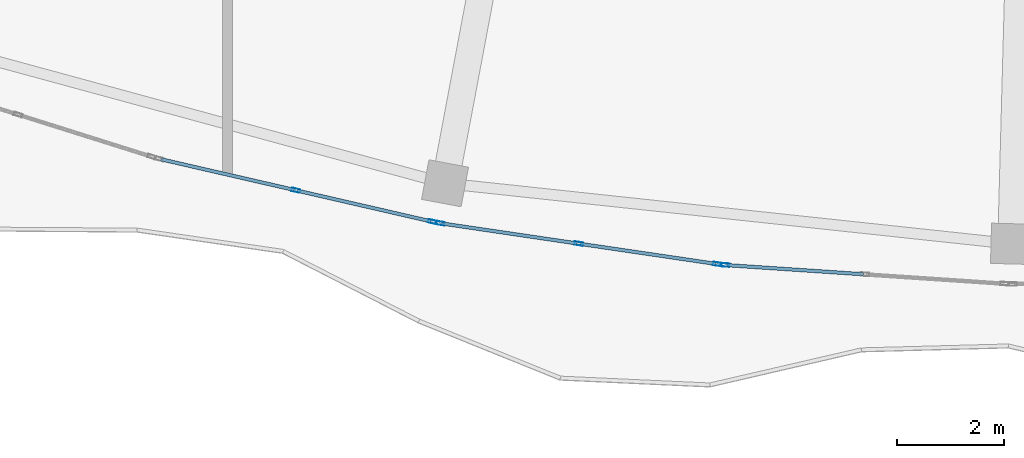
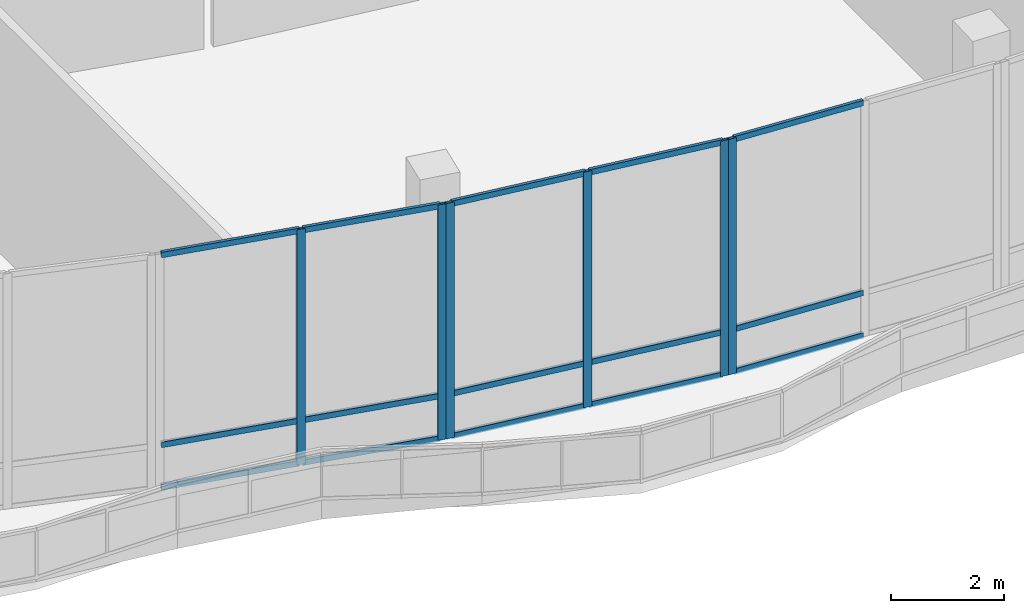
# One storey, part 24 of 158: 21 members, 3 elements without a shape of their own.
"""IFC4 building model written with IfcOpenShell, lengths in metres."""

import ifcopenshell
import ifcopenshell.guid

model = None  # the IFC model being written
_history = None  # IfcOwnerHistory: only IFC2X3 demands one
_inside = {}  # id of a spatial element -> (the spatial element, [elements in it])
_under = {}  # id of a project, library or spatial element -> (it, [spatial elements below it])
_declared = {}  # id of a project -> (the project, [libraries it declares])
_typed = {}  # id of a type object -> (the type object, [elements of that type])
_made_of = {}  # id of a material, layer set ... -> (it, [elements and type objects made of it])


def new_model(schema):
    """Start an empty IFC model of exactly this schema.

    Asked for "IFC4X3", IfcOpenShell would pick the latest addendum, in which some entities
    have other attributes; the version numbers below select the first issue.
    IFC2X3 requires an IfcOwnerHistory on every rooted entity: one is made here for all.
    """
    global model, _history
    if schema == "IFC4X3":
        model = ifcopenshell.file(schema_version=(4, 3, 0, 0))
    else:
        model = ifcopenshell.file(schema=schema)
    _inside.clear()
    _under.clear()
    _declared.clear()
    _typed.clear()
    _made_of.clear()
    _history = None
    if model.schema == "IFC2X3":
        org = make("IfcOrganization", Name="unknown")
        user = make(
            "IfcPersonAndOrganization",
            ThePerson=make("IfcPerson", FamilyName="unknown"),
            TheOrganization=org,
        )
        app = make(
            "IfcApplication",
            ApplicationDeveloper=org,
            Version="unknown",
            ApplicationFullName="unknown",
            ApplicationIdentifier="unknown",
        )
        _history = make(
            "IfcOwnerHistory",
            OwningUser=user,
            OwningApplication=app,
            ChangeAction="ADDED",
            CreationDate=0,
        )
    return model


def make(cls, **values):
    """One entity of the class cls with the attributes given. An attribute that is None is left unset."""
    return model.create_entity(
        cls, **{name: value for name, value in values.items() if value is not None}
    )


def rooted(cls, **values):
    """An entity with a GlobalId (a new one), such as an element, a storey or a relation."""
    return make(cls, GlobalId=ifcopenshell.guid.new(), OwnerHistory=_history, **values)


def si_unit(unit_type, name, prefix=None):
    """IfcSIUnit, for example si_unit("LENGTHUNIT", "METRE", prefix="MILLI")."""
    return make("IfcSIUnit", UnitType=unit_type, Prefix=prefix, Name=name)


def assignment(units):
    """IfcUnitAssignment: the units of a project."""
    return None if units is None else make("IfcUnitAssignment", Units=units)


def point(xyz):
    """IfcCartesianPoint."""
    return None if xyz is None else make("IfcCartesianPoint", Coordinates=xyz)


def direction(xyz):
    """IfcDirection."""
    return None if xyz is None else make("IfcDirection", DirectionRatios=xyz)


def frame(location, z_axis=None, x_axis=None):
    """IfcAxis2Placement3D, a coordinate frame: its origin and axes. An axis left out is left unset."""
    return make(
        "IfcAxis2Placement3D",
        Location=point(location),
        Axis=direction(z_axis),
        RefDirection=direction(x_axis),
    )


def frame_2d(location, x_axis=None):
    """IfcAxis2Placement2D, a coordinate frame in the plane: its origin and x axis."""
    return make(
        "IfcAxis2Placement2D", Location=point(location), RefDirection=direction(x_axis)
    )


def origin():
    """The frame at (0, 0, 0) with its axes left unset."""
    return frame((0.0, 0.0, 0.0))


def origin_2d():
    """The frame at (0, 0) in the plane with its x axis left unset."""
    return frame_2d((0.0, 0.0))


def place(relative_to, where):
    """IfcLocalPlacement: puts the frame where relative to a parent placement (None: the world)."""
    return make(
        "IfcLocalPlacement", PlacementRelTo=relative_to, RelativePlacement=where
    )


def context(
    kind, dimensions, precision=None, world=None, true_north=None, identifier=None
):
    """IfcGeometricRepresentationContext, for example the 3D "Model" context."""
    return make(
        "IfcGeometricRepresentationContext",
        ContextIdentifier=identifier,
        ContextType=kind,
        CoordinateSpaceDimension=dimensions,
        Precision=precision,
        WorldCoordinateSystem=world,
        TrueNorth=true_north,
    )


def subcontext(parent, identifier, kind, view, scale=None):
    """IfcGeometricRepresentationSubContext, for example "Body" below "Model"."""
    return make(
        "IfcGeometricRepresentationSubContext",
        ContextIdentifier=identifier,
        ContextType=kind,
        ParentContext=parent,
        TargetScale=scale,
        TargetView=view,
    )


def project(units=None, contexts=None):
    """IfcProject with its units and contexts."""
    return rooted(
        "IfcProject",
        Name="project",
        RepresentationContexts=contexts,
        UnitsInContext=assignment(units),
    )


def spatial(cls, under=None, at=None, **own):
    """A site, building, storey or space (cls), placed at a placement, below another one or the project."""
    s = rooted(cls, ObjectPlacement=at, **own)
    if under is not None:
        _under.setdefault(under.id(), (under, []))[1].append(s)
    return s


def profile(cls, at=None, kind="AREA", **sizes):
    """A parametric profile (cls). Its sizes go by their IFC names, for example OverallWidth=200.0."""
    return make(cls, ProfileType=kind, Position=at, **sizes)


def hollow_rectangle(**sizes):
    """IfcRectangleHollowProfileDef."""
    return profile("IfcRectangleHollowProfileDef", **sizes)


def extrude(swept, where, along, depth):
    """IfcExtrudedAreaSolid: the profile swept, set in the frame where, extruded along a direction by depth."""
    return make(
        "IfcExtrudedAreaSolid",
        SweptArea=swept,
        Position=where,
        ExtrudedDirection=direction(along),
        Depth=depth,
    )


def shape(context_of_items, identifier, shape_type, items):
    """IfcShapeRepresentation: the items that make up one representation, for example the "Body"."""
    return make(
        "IfcShapeRepresentation",
        ContextOfItems=context_of_items,
        RepresentationIdentifier=identifier,
        RepresentationType=shape_type,
        Items=items,
    )


def material(Name=None, Category=None):
    """IfcMaterial."""
    return make("IfcMaterial", Name=Name, Category=Category)


def material_profile(
    of_material, cross_section, Name=None, Category=None, Priority=None
):
    """IfcMaterialProfile: a cross section and its material."""
    return make(
        "IfcMaterialProfile",
        Name=Name,
        Material=of_material,
        Profile=cross_section,
        Priority=Priority,
        Category=Category,
    )


def profile_set(profiles, Name=None, composite=None):
    """IfcMaterialProfileSet."""
    return make(
        "IfcMaterialProfileSet",
        Name=Name,
        MaterialProfiles=profiles,
        CompositeProfile=composite,
    )


def made_of(thing, what):
    """Note that an element or type object is made of a material, layer set ...; save() writes the relation."""
    if what is not None:
        _made_of.setdefault(what.id(), (what, []))[1].append(thing)
    return thing


def type_object(cls, material=None, **own):
    """A type object (cls), such as IfcWallType, which elements share."""
    return made_of(rooted(cls, **own), material)


def element(
    cls,
    number,
    at=None,
    inside=None,
    cuts=None,
    type_object=None,
    material=None,
    context=None,
    identifier="Body",
    shape_type=None,
    held_by="IfcProductDefinitionShape",
    body=None,
    shapes=None,
    **own,
):
    """One element of the class cls, such as IfcWall. Its Tag is "e" and its number.

    at: its placement. inside: the storey or other place that contains it. cuts: it is an
    opening in that element (IfcRelVoidsElement). A single representation is given by context,
    identifier, shape_type and body (its items); several are given by shapes. held_by: the class
    of the entity that holds the representations. save() writes the other relations.
    """
    e = rooted(cls, Tag="e%d" % number, ObjectPlacement=at, **own)
    if body is not None:
        shapes = [shape(context, identifier, shape_type, body)]
    if shapes is not None:
        e.Representation = make(held_by, Representations=shapes)
    if inside is not None:
        _inside.setdefault(inside.id(), (inside, []))[1].append(e)
    if cuts is not None:
        rooted(
            "IfcRelVoidsElement", RelatingBuildingElement=cuts, RelatedOpeningElement=e
        )
    if type_object is not None:
        _typed.setdefault(type_object.id(), (type_object, []))[1].append(e)
    return made_of(e, material)


def aggregate(whole, parts):
    """IfcRelAggregates: a whole, such as a stair, and the parts it consists of."""
    return rooted("IfcRelAggregates", RelatingObject=whole, RelatedObjects=parts)


def save(model, path):
    """Write the relations noted so far, then the file.

    IfcRelAggregates (storeys below a building ...), IfcRelContainedInSpatialStructure (elements
    in a storey), IfcRelDefinesByType, IfcRelAssociatesMaterial and IfcRelDeclares: one each for
    every whole, place, type object, material and project.
    """
    for whole, parts in _under.values():
        aggregate(whole, parts)
    for where, things in _inside.values():
        rooted(
            "IfcRelContainedInSpatialStructure",
            RelatedElements=things,
            RelatingStructure=where,
        )
    for kind, things in _typed.values():
        rooted("IfcRelDefinesByType", RelatedObjects=things, RelatingType=kind)
    for what, things in _made_of.values():
        rooted("IfcRelAssociatesMaterial", RelatedObjects=things, RelatingMaterial=what)
    for by, libraries in _declared.values():
        rooted("IfcRelDeclares", RelatingContext=by, RelatedDefinitions=libraries)
    model.write(path)


model = new_model("IFC4")

# Units and contexts
model_context = context("Model", 3, precision=1e-05, world=origin(), true_north=direction((0.0, 1.0)))
body_context = subcontext(model_context, "Body", "Model", "MODEL_VIEW")
ifc_project = project(units=[si_unit("LENGTHUNIT", "METRE"), si_unit("AREAUNIT", "SQUARE_METRE"), si_unit("VOLUMEUNIT", "CUBIC_METRE"), si_unit("PLANEANGLEUNIT", "RADIAN"), si_unit("MASSUNIT", "GRAM", prefix="KILO")], contexts=[model_context])

# Site, building, storey
site_placement = place(None, origin())
site = spatial("IfcSite", under=ifc_project, at=site_placement, CompositionType="ELEMENT")
building_placement = place(site_placement, origin())
building = spatial("IfcBuilding", under=site, at=building_placement, Name="Selatvlak General Hospital", CompositionType="ELEMENT")
storey_placement = place(building_placement, origin())
storey = spatial("IfcBuildingStorey", under=building, at=storey_placement, Name="L00", CompositionType="ELEMENT", Elevation=0.0)

# Curtain wall, member
ifc_material_1 = material(Name="Solar-control Low-E double glazing", Category="glass")
curtain_wall_type_1 = type_object("IfcCurtainWallType", Name="CW-CW-01", PredefinedType="USERDEFINED", material=ifc_material_1)
curtain_wall_1_placement = place(storey_placement, origin())
curtain_wall_1 = element("IfcCurtainWall", 1, at=curtain_wall_1_placement, inside=storey, type_object=curtain_wall_type_1, Name="Glazed facade curtain wall CW-L00-0055", ObjectType="UNITISED CURTAIN WALL", PredefinedType="USERDEFINED")
ifc_material_2 = material(Name="Dark anodised aluminium mullion", Category="aluminium")
ifc_material_profile_1 = material_profile(ifc_material_2, hollow_rectangle(XDim=0.06494140625, YDim=0.159912109375, WallThickness=0.00390625, at=origin_2d()), Name="AL-MUL 65x160x4")
ifc_profile_set_1 = profile_set([ifc_material_profile_1], Name="Dark anodised aluminium mullion")
member_type_1 = type_object("IfcMemberType", Name="CWM-01", PredefinedType="MULLION", material=ifc_profile_set_1)
member_1_placement = place(storey_placement, frame((48.870361328125, 12.3798828125, 0.0), z_axis=(0.0, 0.0, 1.0), x_axis=(-0.066782696801, -0.997767543774, 0.0)))
member_1 = element("IfcMember", 2, at=member_1_placement, type_object=member_type_1, Name="CW-01 mullion 3", PredefinedType="MULLION", context=body_context, shape_type="SweptSolid", body=[
    extrude(hollow_rectangle(XDim=0.06494140625, YDim=0.159912109375, WallThickness=0.00390625, at=origin_2d()), origin(), (0.0, 0.0, 1.0), 5.080078125),
])

# Curtain wall, members
curtain_wall_type_2 = type_object("IfcCurtainWallType", Name="CW-CW-02", PredefinedType="USERDEFINED", material=ifc_material_1)
curtain_wall_2_placement = place(storey_placement, origin())
curtain_wall_2 = element("IfcCurtainWall", 3, at=curtain_wall_2_placement, inside=storey, type_object=curtain_wall_type_2, Name="Glazed facade curtain wall CW-L00-0056", ObjectType="UNITISED CURTAIN WALL", PredefinedType="USERDEFINED")
member_2_placement = place(storey_placement, frame((48.726806640625, 12.396728515625, 0.0), z_axis=(0.0, 0.0, 1.0), x_axis=(-0.145842510319, -0.989307819732, 0.0)))
member_2 = element("IfcMember", 4, at=member_2_placement, type_object=member_type_1, Name="CW-02 mullion 1", PredefinedType="MULLION", context=body_context, shape_type="SweptSolid", body=[
    extrude(hollow_rectangle(XDim=0.06494140625, YDim=0.159912109375, WallThickness=0.00390625, at=origin_2d()), origin(), (0.0, 0.0, 1.0), 5.080078125),
])
member_3_placement = place(storey_placement, frame((46.14404296875, 12.777587890625, 0.0), z_axis=(0.0, 0.0, 1.0), x_axis=(-0.145842510319, -0.989307819732, 0.0)))
member_3 = element("IfcMember", 5, at=member_3_placement, type_object=member_type_1, Name="CW-02 mullion 2", PredefinedType="MULLION", context=body_context, shape_type="SweptSolid", body=[
    extrude(hollow_rectangle(XDim=0.06494140625, YDim=0.159912109375, WallThickness=0.00390625, at=origin_2d()), origin(), (0.0, 0.0, 1.0), 5.080078125),
])
member_4_placement = place(storey_placement, frame((43.56103515625, 13.158203125, 0.0), z_axis=(0.0, 0.0, 1.0), x_axis=(-0.145842510319, -0.989307819732, 0.0)))
member_4 = element("IfcMember", 6, at=member_4_placement, type_object=member_type_1, Name="CW-02 mullion 3", PredefinedType="MULLION", context=body_context, shape_type="SweptSolid", body=[
    extrude(hollow_rectangle(XDim=0.06494140625, YDim=0.159912109375, WallThickness=0.00390625, at=origin_2d()), origin(), (0.0, 0.0, 1.0), 5.080078125),
])

curtain_wall_3_placement = place(storey_placement, origin())
curtain_wall_3 = element("IfcCurtainWall", 7, at=curtain_wall_3_placement, inside=storey, type_object=curtain_wall_type_1, Name="Glazed facade curtain wall CW-L00-0057", ObjectType="UNITISED CURTAIN WALL", PredefinedType="USERDEFINED")
member_5_placement = place(storey_placement, frame((43.418212890625, 13.186279296875, 0.0), z_axis=(0.0, 0.0, 1.0), x_axis=(-0.224154879176, -0.974553533749, 0.0)))
member_5 = element("IfcMember", 8, at=member_5_placement, type_object=member_type_1, Name="CW-01 mullion 1", PredefinedType="MULLION", context=body_context, shape_type="SweptSolid", body=[
    extrude(hollow_rectangle(XDim=0.06494140625, YDim=0.159912109375, WallThickness=0.00390625, at=origin_2d()), origin(), (0.0, 0.0, 1.0), 5.080078125),
])
member_6_placement = place(storey_placement, frame((40.8740234375, 13.771484375, 0.0), z_axis=(0.0, 0.0, 1.0), x_axis=(-0.224154879176, -0.974553533749, 0.0)))
member_6 = element("IfcMember", 9, at=member_6_placement, type_object=member_type_1, Name="CW-01 mullion 2", PredefinedType="MULLION", context=body_context, shape_type="SweptSolid", body=[
    extrude(hollow_rectangle(XDim=0.06494140625, YDim=0.159912109375, WallThickness=0.00390625, at=origin_2d()), origin(), (0.0, 0.0, 1.0), 5.080078125),
])

# Member
ifc_material_profile_2 = material_profile(ifc_material_2, hollow_rectangle(XDim=0.06494140625, YDim=0.1201171875, WallThickness=0.00390625, at=origin_2d()), Name="AL-TRN 65x120x4")
ifc_profile_set_2 = profile_set([ifc_material_profile_2], Name="Dark anodised aluminium mullion")
member_type_2 = type_object("IfcMemberType", Name="CWT-01", PredefinedType="USERDEFINED", material=ifc_profile_set_2)
member_7_placement = place(storey_placement, frame((51.442626953125, 12.207763671875, 0.032470703125), z_axis=(-0.997769427698, 0.066754544043, 0.0), x_axis=(-0.066754544043, -0.997769427698, 0.0)))
member_7 = element("IfcMember", 10, at=member_7_placement, type_object=member_type_2, Name="CW-01 transom 2.1", ObjectType="TRANSOM", PredefinedType="USERDEFINED", context=body_context, shape_type="SweptSolid", body=[
    extrude(hollow_rectangle(XDim=0.06494140625, YDim=0.1201171875, WallThickness=0.00390625, at=origin_2d()), origin(), (0.0, 0.0, 1.0), 2.54541015625),
])

member_8_placement = place(storey_placement, frame((51.442626953125, 12.207763671875, 0.949951171875), z_axis=(-0.997769427698, 0.066754544043, 0.0), x_axis=(-0.066754544043, -0.997769427698, 0.0)))
member_8 = element("IfcMember", 11, at=member_8_placement, type_object=member_type_2, Name="CW-01 transom 2.2", ObjectType="TRANSOM", PredefinedType="USERDEFINED", context=body_context, shape_type="SweptSolid", body=[
    extrude(hollow_rectangle(XDim=0.06494140625, YDim=0.1201171875, WallThickness=0.00390625, at=origin_2d()), origin(), (0.0, 0.0, 1.0), 2.54541015625),
])

member_9_placement = place(storey_placement, frame((51.442626953125, 12.207763671875, 5.047607421875), z_axis=(-0.997769427698, 0.066754544043, 0.0), x_axis=(-0.066754544043, -0.997769427698, 0.0)))
member_9 = element("IfcMember", 12, at=member_9_placement, type_object=member_type_2, Name="CW-01 transom 2.3", ObjectType="TRANSOM", PredefinedType="USERDEFINED", context=body_context, shape_type="SweptSolid", body=[
    extrude(hollow_rectangle(XDim=0.06494140625, YDim=0.1201171875, WallThickness=0.00390625, at=origin_2d()), origin(), (0.0, 0.0, 1.0), 2.54541015625),
])

aggregate(curtain_wall_1, [member_1, member_7, member_8, member_9])

member_10_placement = place(storey_placement, frame((48.694580078125, 12.4013671875, 0.032470703125), z_axis=(-0.989302619904, 0.145877778466, 0.0), x_axis=(-0.145877778466, -0.989302619904, 0.0)))
member_10 = element("IfcMember", 13, at=member_10_placement, type_object=member_type_2, Name="CW-02 transom 1.1", ObjectType="TRANSOM", PredefinedType="USERDEFINED", context=body_context, shape_type="SweptSolid", body=[
    extrude(hollow_rectangle(XDim=0.06494140625, YDim=0.1201171875, WallThickness=0.00390625, at=origin_2d()), origin(), (0.0, 0.0, 1.0), 2.545654296875),
])

member_11_placement = place(storey_placement, frame((48.694580078125, 12.4013671875, 0.949951171875), z_axis=(-0.989302619904, 0.145877778466, 0.0), x_axis=(-0.145877778466, -0.989302619904, 0.0)))
member_11 = element("IfcMember", 14, at=member_11_placement, type_object=member_type_2, Name="CW-02 transom 1.2", ObjectType="TRANSOM", PredefinedType="USERDEFINED", context=body_context, shape_type="SweptSolid", body=[
    extrude(hollow_rectangle(XDim=0.06494140625, YDim=0.1201171875, WallThickness=0.00390625, at=origin_2d()), origin(), (0.0, 0.0, 1.0), 2.545654296875),
])

member_12_placement = place(storey_placement, frame((48.694580078125, 12.4013671875, 5.047607421875), z_axis=(-0.989302619904, 0.145877778466, 0.0), x_axis=(-0.145877778466, -0.989302619904, 0.0)))
member_12 = element("IfcMember", 15, at=member_12_placement, type_object=member_type_2, Name="CW-02 transom 1.3", ObjectType="TRANSOM", PredefinedType="USERDEFINED", context=body_context, shape_type="SweptSolid", body=[
    extrude(hollow_rectangle(XDim=0.06494140625, YDim=0.1201171875, WallThickness=0.00390625, at=origin_2d()), origin(), (0.0, 0.0, 1.0), 2.545654296875),
])

member_13_placement = place(storey_placement, frame((46.11181640625, 12.7822265625, 0.032470703125), z_axis=(-0.989304660592, 0.145863938422, 0.0), x_axis=(-0.145863938422, -0.989304660592, 0.0)))
member_13 = element("IfcMember", 16, at=member_13_placement, type_object=member_type_2, Name="CW-02 transom 2.1", ObjectType="TRANSOM", PredefinedType="USERDEFINED", context=body_context, shape_type="SweptSolid", body=[
    extrude(hollow_rectangle(XDim=0.06494140625, YDim=0.1201171875, WallThickness=0.00390625, at=origin_2d()), origin(), (0.0, 0.0, 1.0), 2.5458984375),
])

member_14_placement = place(storey_placement, frame((46.11181640625, 12.7822265625, 0.949951171875), z_axis=(-0.989304660592, 0.145863938422, 0.0), x_axis=(-0.145863938422, -0.989304660592, 0.0)))
member_14 = element("IfcMember", 17, at=member_14_placement, type_object=member_type_2, Name="CW-02 transom 2.2", ObjectType="TRANSOM", PredefinedType="USERDEFINED", context=body_context, shape_type="SweptSolid", body=[
    extrude(hollow_rectangle(XDim=0.06494140625, YDim=0.1201171875, WallThickness=0.00390625, at=origin_2d()), origin(), (0.0, 0.0, 1.0), 2.5458984375),
])

member_15_placement = place(storey_placement, frame((46.11181640625, 12.7822265625, 5.047607421875), z_axis=(-0.989304660592, 0.145863938422, 0.0), x_axis=(-0.145863938422, -0.989304660592, 0.0)))
member_15 = element("IfcMember", 18, at=member_15_placement, type_object=member_type_2, Name="CW-02 transom 2.3", ObjectType="TRANSOM", PredefinedType="USERDEFINED", context=body_context, shape_type="SweptSolid", body=[
    extrude(hollow_rectangle(XDim=0.06494140625, YDim=0.1201171875, WallThickness=0.00390625, at=origin_2d()), origin(), (0.0, 0.0, 1.0), 2.5458984375),
])

aggregate(curtain_wall_2, [member_2, member_3, member_4, member_10, member_11, member_12, member_13, member_14, member_15])

member_16_placement = place(storey_placement, frame((43.38671875, 13.193603515625, 0.032470703125), z_axis=(-0.974560633156, 0.224124010991, 0.0), x_axis=(-0.224124010991, -0.974560633156, 0.0)))
member_16 = element("IfcMember", 19, at=member_16_placement, type_object=member_type_2, Name="CW-01 transom 1.1", ObjectType="TRANSOM", PredefinedType="USERDEFINED", context=body_context, shape_type="SweptSolid", body=[
    extrude(hollow_rectangle(XDim=0.06494140625, YDim=0.1201171875, WallThickness=0.00390625, at=origin_2d()), origin(), (0.0, 0.0, 1.0), 2.545654296875),
])

member_17_placement = place(storey_placement, frame((43.38671875, 13.193603515625, 0.949951171875), z_axis=(-0.974560633156, 0.224124010991, 0.0), x_axis=(-0.224124010991, -0.974560633156, 0.0)))
member_17 = element("IfcMember", 20, at=member_17_placement, type_object=member_type_2, Name="CW-01 transom 1.2", ObjectType="TRANSOM", PredefinedType="USERDEFINED", context=body_context, shape_type="SweptSolid", body=[
    extrude(hollow_rectangle(XDim=0.06494140625, YDim=0.1201171875, WallThickness=0.00390625, at=origin_2d()), origin(), (0.0, 0.0, 1.0), 2.545654296875),
])

member_18_placement = place(storey_placement, frame((43.38671875, 13.193603515625, 5.047607421875), z_axis=(-0.974560633156, 0.224124010991, 0.0), x_axis=(-0.224124010991, -0.974560633156, 0.0)))
member_18 = element("IfcMember", 21, at=member_18_placement, type_object=member_type_2, Name="CW-01 transom 1.3", ObjectType="TRANSOM", PredefinedType="USERDEFINED", context=body_context, shape_type="SweptSolid", body=[
    extrude(hollow_rectangle(XDim=0.06494140625, YDim=0.1201171875, WallThickness=0.00390625, at=origin_2d()), origin(), (0.0, 0.0, 1.0), 2.545654296875),
])

member_19_placement = place(storey_placement, frame((40.84228515625, 13.77880859375, 0.032470703125), z_axis=(-0.974560633156, 0.224124010991, 0.0), x_axis=(-0.224124010991, -0.974560633156, 0.0)))
member_19 = element("IfcMember", 22, at=member_19_placement, type_object=member_type_2, Name="CW-01 transom 2.1", ObjectType="TRANSOM", PredefinedType="USERDEFINED", context=body_context, shape_type="SweptSolid", body=[
    extrude(hollow_rectangle(XDim=0.06494140625, YDim=0.1201171875, WallThickness=0.00390625, at=origin_2d()), origin(), (0.0, 0.0, 1.0), 2.545654296875),
])

member_20_placement = place(storey_placement, frame((40.84228515625, 13.77880859375, 0.949951171875), z_axis=(-0.974560633156, 0.224124010991, 0.0), x_axis=(-0.224124010991, -0.974560633156, 0.0)))
member_20 = element("IfcMember", 23, at=member_20_placement, type_object=member_type_2, Name="CW-01 transom 2.2", ObjectType="TRANSOM", PredefinedType="USERDEFINED", context=body_context, shape_type="SweptSolid", body=[
    extrude(hollow_rectangle(XDim=0.06494140625, YDim=0.1201171875, WallThickness=0.00390625, at=origin_2d()), origin(), (0.0, 0.0, 1.0), 2.545654296875),
])

member_21_placement = place(storey_placement, frame((40.84228515625, 13.77880859375, 5.047607421875), z_axis=(-0.974560633156, 0.224124010991, 0.0), x_axis=(-0.224124010991, -0.974560633156, 0.0)))
member_21 = element("IfcMember", 24, at=member_21_placement, type_object=member_type_2, Name="CW-01 transom 2.3", ObjectType="TRANSOM", PredefinedType="USERDEFINED", context=body_context, shape_type="SweptSolid", body=[
    extrude(hollow_rectangle(XDim=0.06494140625, YDim=0.1201171875, WallThickness=0.00390625, at=origin_2d()), origin(), (0.0, 0.0, 1.0), 2.545654296875),
])

aggregate(curtain_wall_3, [member_5, member_6, member_16, member_17, member_18, member_19, member_20, member_21])

save(model, "model.ifc")
